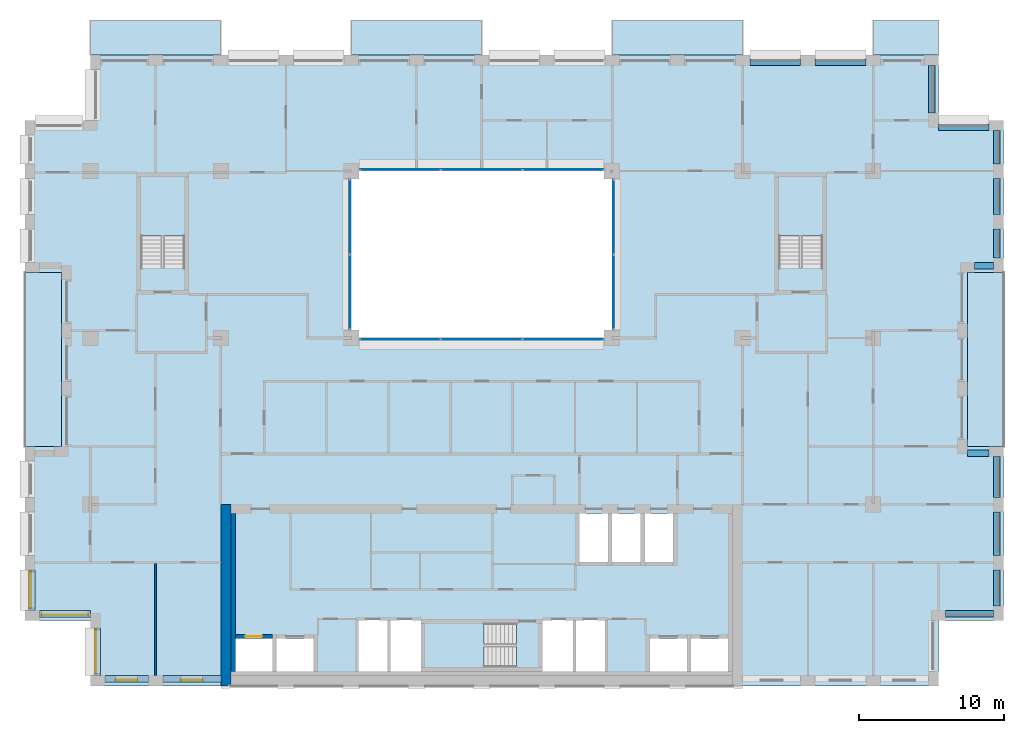
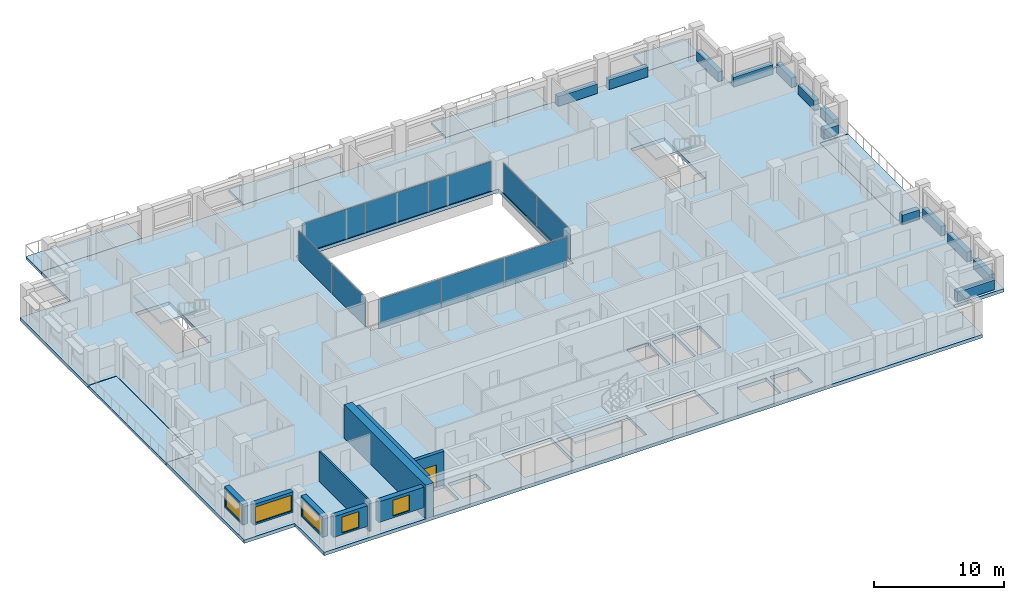
# One storey, part 7 of 15: 13 beams, 10 plates, 10 slabs, 9 walls, 5 windows, 1 door, 6 openings, 7 elements without a shape of their own.
"""IFC4 building model written with IfcOpenShell, lengths in metres."""

from ifc_helpers import new_model, si_unit, direction, frame, frame_2d, origin, origin_2d, place, context, subcontext, project, spatial, polyline, rectangle, outline, extrude, material, layer, layer_set, material_profile, profile_set, type_object, element, fill, aggregate, save


model = new_model("IFC4")

# Units and contexts
model_context = context("Model", 3, precision=1e-05, world=origin(), true_north=direction((0.0, 1.0)))
body_context = subcontext(model_context, "Body", "Model", "MODEL_VIEW")
ifc_project = project(units=[si_unit("LENGTHUNIT", "METRE"), si_unit("AREAUNIT", "SQUARE_METRE"), si_unit("VOLUMEUNIT", "CUBIC_METRE"), si_unit("PLANEANGLEUNIT", "RADIAN"), si_unit("MASSUNIT", "GRAM", prefix="KILO")], contexts=[model_context])

# Site, building, storey
site_placement = place(None, origin())
site = spatial("IfcSite", under=ifc_project, at=site_placement, CompositionType="ELEMENT")
building_placement = place(site_placement, origin())
building = spatial("IfcBuilding", under=site, at=building_placement, Name="Brigalow Station Residences", CompositionType="ELEMENT")
storey_placement = place(building_placement, frame((0.0, 0.0, 172.800048828125)))
storey = spatial("IfcBuildingStorey", under=building, at=storey_placement, Name="L50", CompositionType="ELEMENT", Elevation=172.800048828125)

# Beams
ifc_material_1 = material(Name="Concrete C50", Category="concrete")
ifc_material_profile = material_profile(ifc_material_1, rectangle(XDim=0.449951171875, YDim=0.89990234375, at=origin_2d()), Name="RC450x900")
ifc_profile_set = profile_set([ifc_material_profile], Name="Concrete C50")
beam_type = type_object("IfcBeamType", Name="SPANDREL BEAM 450x900 C50", PredefinedType="SPANDREL", material=ifc_profile_set)
beam_1_placement = place(storey_placement, frame((68.0, 4.97509765625, 0.449951171875), z_axis=(1.0, 0.0, 0.0), x_axis=(0.0, 1.0, 0.0)))
element("IfcBeam", 1, at=beam_1_placement, inside=storey, type_object=beam_type, Name="L50/spandrel/W-L50-8", PredefinedType="SPANDREL", context=body_context, shape_type="SweptSolid", body=[
    extrude(rectangle(XDim=0.449951171875, YDim=0.89990234375, at=origin_2d()), origin(), (0.0, 0.0, 1.0), 3.300048828125),
])
beam_2_placement = place(storey_placement, frame((71.52490234375, 5.5, 0.449951171875), z_axis=(0.0, 1.0, 0.0), x_axis=(-1.0, 0.0, 0.0)))
element("IfcBeam", 2, at=beam_2_placement, inside=storey, type_object=beam_type, Name="L50/spandrel/W-L50-9", PredefinedType="SPANDREL", context=body_context, shape_type="SweptSolid", body=[
    extrude(rectangle(XDim=0.449951171875, YDim=0.89990234375, at=origin_2d()), origin(), (0.0, 0.0, 1.0), 2.5),
])
beam_3_placement = place(storey_placement, frame((71.52490234375, 9.0, 0.449951171875), z_axis=(0.0, 1.0, 0.0), x_axis=(-1.0, 0.0, 0.0)))
element("IfcBeam", 3, at=beam_3_placement, inside=storey, type_object=beam_type, Name="L50/spandrel/W-L50-10", PredefinedType="SPANDREL", context=body_context, shape_type="SweptSolid", body=[
    extrude(rectangle(XDim=0.449951171875, YDim=0.89990234375, at=origin_2d()), origin(), (0.0, 0.0, 1.0), 3.0),
])
beam_4_placement = place(storey_placement, frame((71.52490234375, 13.0, 0.449951171875), z_axis=(0.0, 1.0, 0.0), x_axis=(-1.0, 0.0, 0.0)))
element("IfcBeam", 4, at=beam_4_placement, inside=storey, type_object=beam_type, Name="L50/spandrel/W-L50-11", PredefinedType="SPANDREL", context=body_context, shape_type="SweptSolid", body=[
    extrude(rectangle(XDim=0.449951171875, YDim=0.89990234375, at=origin_2d()), origin(), (0.0, 0.0, 1.0), 2.800048828125),
])
beam_5_placement = place(storey_placement, frame((71.0, 16.02490234375, 0.449951171875), z_axis=(-1.0, 0.0, 0.0), x_axis=(0.0, -1.0, 0.0)))
element("IfcBeam", 5, at=beam_5_placement, inside=storey, type_object=beam_type, Name="L50/spandrel/W-L50-12", PredefinedType="SPANDREL", context=body_context, shape_type="SweptSolid", body=[
    extrude(rectangle(XDim=0.449951171875, YDim=0.89990234375, at=origin_2d()), origin(), (0.0, 0.0, 1.0), 1.5),
])
beam_6_placement = place(storey_placement, frame((70.0, 28.97509765625, 0.449951171875), z_axis=(1.0, 0.0, 0.0), x_axis=(0.0, 1.0, 0.0)))
element("IfcBeam", 6, at=beam_6_placement, inside=storey, type_object=beam_type, Name="L50/spandrel/W-L50-16", PredefinedType="SPANDREL", context=body_context, shape_type="SweptSolid", body=[
    extrude(rectangle(XDim=0.449951171875, YDim=0.89990234375, at=origin_2d()), origin(), (0.0, 0.0, 1.0), 1.300048828125),
])
beam_7_placement = place(storey_placement, frame((71.52490234375, 29.5, 0.449951171875), z_axis=(0.0, 1.0, 0.0), x_axis=(-1.0, 0.0, 0.0)))
element("IfcBeam", 7, at=beam_7_placement, inside=storey, type_object=beam_type, Name="L50/spandrel/W-L50-17", PredefinedType="SPANDREL", context=body_context, shape_type="SweptSolid", body=[
    extrude(rectangle(XDim=0.449951171875, YDim=0.89990234375, at=origin_2d()), origin(), (0.0, 0.0, 1.0), 2.0),
])
beam_8_placement = place(storey_placement, frame((71.52490234375, 32.5, 0.449951171875), z_axis=(0.0, 1.0, 0.0), x_axis=(-1.0, 0.0, 0.0)))
element("IfcBeam", 8, at=beam_8_placement, inside=storey, type_object=beam_type, Name="L50/spandrel/W-L50-18", PredefinedType="SPANDREL", context=body_context, shape_type="SweptSolid", body=[
    extrude(rectangle(XDim=0.449951171875, YDim=0.89990234375, at=origin_2d()), origin(), (0.0, 0.0, 1.0), 2.5),
])
beam_9_placement = place(storey_placement, frame((71.52490234375, 36.0, 0.449951171875), z_axis=(0.0, 1.0, 0.0), x_axis=(-1.0, 0.0, 0.0)))
element("IfcBeam", 9, at=beam_9_placement, inside=storey, type_object=beam_type, Name="L50/spandrel/W-L50-19", PredefinedType="SPANDREL", context=body_context, shape_type="SweptSolid", body=[
    extrude(rectangle(XDim=0.449951171875, YDim=0.89990234375, at=origin_2d()), origin(), (0.0, 0.0, 1.0), 2.300048828125),
])
beam_10_placement = place(storey_placement, frame((71.0, 38.52490234375, 0.449951171875), z_axis=(-1.0, 0.0, 0.0), x_axis=(0.0, -1.0, 0.0)))
element("IfcBeam", 10, at=beam_10_placement, inside=storey, type_object=beam_type, Name="L50/spandrel/W-L50-20", PredefinedType="SPANDREL", context=body_context, shape_type="SweptSolid", body=[
    extrude(rectangle(XDim=0.449951171875, YDim=0.89990234375, at=origin_2d()), origin(), (0.0, 0.0, 1.0), 3.5),
])
beam_11_placement = place(storey_placement, frame((67.02490234375, 39.5, 0.449951171875), z_axis=(0.0, 1.0, 0.0), x_axis=(-1.0, 0.0, 0.0)))
element("IfcBeam", 11, at=beam_11_placement, inside=storey, type_object=beam_type, Name="L50/spandrel/W-L50-21", PredefinedType="SPANDREL", context=body_context, shape_type="SweptSolid", body=[
    extrude(rectangle(XDim=0.449951171875, YDim=0.89990234375, at=origin_2d()), origin(), (0.0, 0.0, 1.0), 3.300048828125),
])
for number, where, z_axis, x_axis, name in (
    (12, (62.5, 43.02490234375, 0.449951171875), (-1.0, 0.0, 0.0), (0.0, -1.0, 0.0), "L50/spandrel/W-L50-23"),
    (13, (58.0, 43.02490234375, 0.449951171875), (-1.0, 0.0, 0.0), (0.0, -1.0, 0.0), "L50/spandrel/W-L50-24"),
):
    element("IfcBeam", number, at=place(storey_placement, frame(where, z_axis=z_axis, x_axis=x_axis)), inside=storey, type_object=beam_type, Name=name, PredefinedType="SPANDREL", context=body_context, shape_type="SweptSolid", body=[
        extrude(rectangle(XDim=0.449951171875, YDim=0.89990234375, at=origin_2d()), origin(), (0.0, 0.0, 1.0), 3.5),
    ])

# Curtain wall, plates
ifc_material_2 = material(Name="Aluminium", Category="aluminium")
ifc_layer_1 = layer(ifc_material_2, 0.14990234375)
ifc_layer_set_1 = layer_set([ifc_layer_1], Name="ATRIUM FIRE-RATED GLAZING CURTAIN WALL")
curtain_wall_type = type_object("IfcCurtainWallType", Name="ATRIUM FIRE-RATED GLAZING CURTAIN WALL", PredefinedType="NOTDEFINED", material=ifc_layer_set_1)
curtain_wall_1_placement = place(storey_placement, origin())
curtain_wall_1 = element("IfcCurtainWall", 14, at=curtain_wall_1_placement, inside=storey, type_object=curtain_wall_type, Name="L50/cw/atrium-S", PredefinedType="NOTDEFINED")
ifc_material_3 = material(Name="Fire-resisting laminated glazing, FRL -/60/-", Category="glass")
ifc_layer_2 = layer(ifc_material_3, 0.031982421875)
ifc_layer_set_2 = layer_set([ifc_layer_2], Name="ATRIUM FIRE-RATED GLAZING PANEL 32")
plate_type = type_object("IfcPlateType", Name="ATRIUM FIRE-RATED GLAZING PANEL 32", PredefinedType="CURTAIN_PANEL", material=ifc_layer_set_2)
plate_1_placement = place(storey_placement, frame((30.381591796875, 23.89990234375, 0.0), z_axis=(0.0, 0.0, 1.0), x_axis=(1.0, 0.0, 0.0)))
plate_1 = element("IfcPlate", 15, at=plate_1_placement, type_object=plate_type, Name="L50/cw/atrium-S/P00-00", PredefinedType="CURTAIN_PANEL", context=body_context, shape_type="SweptSolid", body=[
    extrude(rectangle(XDim=5.543212890625, YDim=0.031982421875, at=origin_2d()), origin(), (0.0, 0.0, 1.0), 2.77001953125),
])
plate_2_placement = place(storey_placement, frame((36.0, 23.89990234375, 0.0), z_axis=(0.0, 0.0, 1.0), x_axis=(1.0, 0.0, 0.0)))
plate_2 = element("IfcPlate", 16, at=plate_2_placement, type_object=plate_type, Name="L50/cw/atrium-S/P01-00", PredefinedType="CURTAIN_PANEL", context=body_context, shape_type="SweptSolid", body=[
    extrude(rectangle(XDim=5.5732421875, YDim=0.031982421875, at=origin_2d()), origin(), (0.0, 0.0, 1.0), 2.77001953125),
])
plate_3_placement = place(storey_placement, frame((41.618408203125, 23.89990234375, 0.0), z_axis=(0.0, 0.0, 1.0), x_axis=(1.0, 0.0, 0.0)))
plate_3 = element("IfcPlate", 17, at=plate_3_placement, type_object=plate_type, Name="L50/cw/atrium-S/P02-00", PredefinedType="CURTAIN_PANEL", context=body_context, shape_type="SweptSolid", body=[
    extrude(rectangle(XDim=5.543212890625, YDim=0.031982421875, at=origin_2d()), origin(), (0.0, 0.0, 1.0), 2.77001953125),
])
aggregate(curtain_wall_1, [plate_1, plate_2, plate_3])

curtain_wall_2_placement = place(storey_placement, origin())
curtain_wall_2 = element("IfcCurtainWall", 18, at=curtain_wall_2_placement, inside=storey, type_object=curtain_wall_type, Name="L50/cw/atrium-E", PredefinedType="NOTDEFINED")
plate_4_placement = place(storey_placement, frame((45.10009765625, 27.1650390625, 0.0), z_axis=(0.0, 0.0, 1.0), x_axis=(0.0, 1.0, 0.0)))
plate_4 = element("IfcPlate", 19, at=plate_4_placement, type_object=plate_type, Name="L50/cw/atrium-E/P00-00", PredefinedType="CURTAIN_PANEL", context=body_context, shape_type="SweptSolid", body=[
    extrude(rectangle(XDim=5.110107421875, YDim=0.031982421875, at=origin_2d()), origin(), (0.0, 0.0, 1.0), 2.77001953125),
])
plate_5_placement = place(storey_placement, frame((45.10009765625, 32.3349609375, 0.0), z_axis=(0.0, 0.0, 1.0), x_axis=(0.0, 1.0, 0.0)))
plate_5 = element("IfcPlate", 20, at=plate_5_placement, type_object=plate_type, Name="L50/cw/atrium-E/P01-00", PredefinedType="CURTAIN_PANEL", context=body_context, shape_type="SweptSolid", body=[
    extrude(rectangle(XDim=5.110107421875, YDim=0.031982421875, at=origin_2d()), origin(), (0.0, 0.0, 1.0), 2.77001953125),
])
aggregate(curtain_wall_2, [plate_4, plate_5])

curtain_wall_3_placement = place(storey_placement, origin())
curtain_wall_3 = element("IfcCurtainWall", 21, at=curtain_wall_3_placement, inside=storey, type_object=curtain_wall_type, Name="L50/cw/atrium-N", PredefinedType="NOTDEFINED")
plate_6_placement = place(storey_placement, frame((41.618408203125, 35.60009765625, 0.0), z_axis=(0.0, 0.0, 1.0), x_axis=(-1.0, 0.0, 0.0)))
plate_6 = element("IfcPlate", 22, at=plate_6_placement, type_object=plate_type, Name="L50/cw/atrium-N/P00-00", PredefinedType="CURTAIN_PANEL", context=body_context, shape_type="SweptSolid", body=[
    extrude(rectangle(XDim=5.543212890625, YDim=0.031982421875, at=origin_2d()), origin(), (0.0, 0.0, 1.0), 2.77001953125),
])
plate_7_placement = place(storey_placement, frame((36.0, 35.60009765625, 0.0), z_axis=(0.0, 0.0, 1.0), x_axis=(-1.0, 0.0, 0.0)))
plate_7 = element("IfcPlate", 23, at=plate_7_placement, type_object=plate_type, Name="L50/cw/atrium-N/P01-00", PredefinedType="CURTAIN_PANEL", context=body_context, shape_type="SweptSolid", body=[
    extrude(rectangle(XDim=5.5732421875, YDim=0.031982421875, at=origin_2d()), origin(), (0.0, 0.0, 1.0), 2.77001953125),
])
plate_8_placement = place(storey_placement, frame((30.381591796875, 35.60009765625, 0.0), z_axis=(0.0, 0.0, 1.0), x_axis=(-1.0, 0.0, 0.0)))
plate_8 = element("IfcPlate", 24, at=plate_8_placement, type_object=plate_type, Name="L50/cw/atrium-N/P02-00", PredefinedType="CURTAIN_PANEL", context=body_context, shape_type="SweptSolid", body=[
    extrude(rectangle(XDim=5.543212890625, YDim=0.031982421875, at=origin_2d()), origin(), (0.0, 0.0, 1.0), 2.77001953125),
])
aggregate(curtain_wall_3, [plate_6, plate_7, plate_8])

curtain_wall_4_placement = place(storey_placement, origin())
curtain_wall_4 = element("IfcCurtainWall", 25, at=curtain_wall_4_placement, inside=storey, type_object=curtain_wall_type, Name="L50/cw/atrium-W", PredefinedType="NOTDEFINED")
plate_9_placement = place(storey_placement, frame((26.89990234375, 32.3349609375, 0.0), z_axis=(0.0, 0.0, 1.0), x_axis=(0.0, -1.0, 0.0)))
plate_9 = element("IfcPlate", 26, at=plate_9_placement, type_object=plate_type, Name="L50/cw/atrium-W/P00-00", PredefinedType="CURTAIN_PANEL", context=body_context, shape_type="SweptSolid", body=[
    extrude(rectangle(XDim=5.110107421875, YDim=0.031982421875, at=origin_2d()), origin(), (0.0, 0.0, 1.0), 2.77001953125),
])
plate_10_placement = place(storey_placement, frame((26.89990234375, 27.1650390625, 0.0), z_axis=(0.0, 0.0, 1.0), x_axis=(0.0, -1.0, 0.0)))
plate_10 = element("IfcPlate", 27, at=plate_10_placement, type_object=plate_type, Name="L50/cw/atrium-W/P01-00", PredefinedType="CURTAIN_PANEL", context=body_context, shape_type="SweptSolid", body=[
    extrude(rectangle(XDim=5.110107421875, YDim=0.031982421875, at=origin_2d()), origin(), (0.0, 0.0, 1.0), 2.77001953125),
])
aggregate(curtain_wall_4, [plate_9, plate_10])

# Slabs
ifc_material_4 = material(Name="Concrete C50 precast", Category="concrete")
ifc_layer_3 = layer(ifc_material_4, 0.25)
ifc_layer_set_3 = layer_set([ifc_layer_3], Name="BALCONY SLAB 250")
slab_type_1 = type_object("IfcSlabType", Name="BALCONY SLAB 250", PredefinedType="USERDEFINED", material=ifc_layer_set_3)
slab_1_placement = place(storey_placement, frame((0.0, 0.0, -0.2900390625)))
element("IfcSlab", 28, at=slab_1_placement, inside=storey, type_object=slab_type_1, Name="L50/balcony/1", ObjectType="BALCONY", PredefinedType="USERDEFINED", context=body_context, shape_type="SweptSolid", body=[
    extrude(outline(polyline([(69.5, 16.5), (72.0, 16.5), (72.0, 28.5), (69.5, 28.5), (69.5, 16.5)])), origin(), (0.0, 0.0, 1.0), 0.25),
])
slab_2_placement = place(storey_placement, frame((0.0, 0.0, -0.2900390625)))
element("IfcSlab", 29, at=slab_2_placement, inside=storey, type_object=slab_type_1, Name="L50/balcony/2", ObjectType="BALCONY", PredefinedType="USERDEFINED", context=body_context, shape_type="SweptSolid", body=[
    extrude(outline(polyline([(67.5, 43.5), (67.5, 45.89990234375), (63.0, 45.89990234375), (63.0, 43.5), (67.5, 43.5)])), origin(), (0.0, 0.0, 1.0), 0.25),
])
slab_3_placement = place(storey_placement, frame((0.0, 0.0, -0.2900390625)))
element("IfcSlab", 30, at=slab_3_placement, inside=storey, type_object=slab_type_1, Name="L50/balcony/3", ObjectType="BALCONY", PredefinedType="USERDEFINED", context=body_context, shape_type="SweptSolid", body=[
    extrude(outline(polyline([(54.0, 43.5), (54.0, 45.89990234375), (45.0, 45.89990234375), (45.0, 43.5), (54.0, 43.5)])), origin(), (0.0, 0.0, 1.0), 0.25),
])
slab_4_placement = place(storey_placement, frame((0.0, 0.0, -0.2900390625)))
element("IfcSlab", 31, at=slab_4_placement, inside=storey, type_object=slab_type_1, Name="L50/balcony/4", ObjectType="BALCONY", PredefinedType="USERDEFINED", context=body_context, shape_type="SweptSolid", body=[
    extrude(outline(polyline([(36.0, 43.5), (36.0, 45.89990234375), (27.0, 45.89990234375), (27.0, 43.5), (36.0, 43.5)])), origin(), (0.0, 0.0, 1.0), 0.25),
])
slab_5_placement = place(storey_placement, frame((0.0, 0.0, -0.2900390625)))
element("IfcSlab", 32, at=slab_5_placement, inside=storey, type_object=slab_type_1, Name="L50/balcony/5", ObjectType="BALCONY", PredefinedType="USERDEFINED", context=body_context, shape_type="SweptSolid", body=[
    extrude(outline(polyline([(18.0, 43.5), (18.0, 45.89990234375), (9.0, 45.89990234375), (9.0, 43.5), (18.0, 43.5)])), origin(), (0.0, 0.0, 1.0), 0.25),
])
slab_6_placement = place(storey_placement, frame((0.0, 0.0, -0.2900390625)))
element("IfcSlab", 33, at=slab_6_placement, inside=storey, type_object=slab_type_1, Name="L50/balcony/6", ObjectType="BALCONY", PredefinedType="USERDEFINED", context=body_context, shape_type="SweptSolid", body=[
    extrude(outline(polyline([(7.0, 28.5), (4.5, 28.5), (4.5, 16.5), (7.0, 16.5), (7.0, 28.5)])), origin(), (0.0, 0.0, 1.0), 0.25),
])
ifc_material_5 = material(Name="Concrete C50", Category="concrete")
ifc_layer_4 = layer(ifc_material_5, 0.320068359375)
ifc_layer_set_4 = layer_set([ifc_layer_4], Name="POST-TENSIONED FLAT PLATE 320 C50")
slab_type_2 = type_object("IfcSlabType", Name="POST-TENSIONED FLAT PLATE 320 C50", PredefinedType="FLOOR", material=ifc_layer_set_4)
slab_7_placement = place(storey_placement, frame((0.0, 0.0, -0.320068359375)))
element("IfcSlab", 34, at=slab_7_placement, inside=storey, type_object=slab_type_2, Name="FLOOR SLAB L50", PredefinedType="FLOOR", context=body_context, shape_type="SweptSolid", body=[
    extrude(outline(polyline([(9.0, 0.0), (67.5, 0.0), (67.5, 4.5), (72.0, 4.5), (72.0, 16.5), (69.5, 16.5), (69.5, 28.5), (72.0, 28.5), (72.0, 39.0), (67.5, 39.0), (67.5, 43.5), (9.0, 43.5), (9.0, 39.0), (4.5, 39.0), (4.5, 28.5), (7.0, 28.5), (7.0, 16.5), (4.5, 16.5), (4.5, 4.5), (9.0, 4.5), (9.0, 0.0)]), holes=[polyline([(12.5048828125, 35.094970703125), (15.4951171875, 35.094970703125), (15.4951171875, 28.804931640625), (12.5048828125, 28.804931640625), (12.5048828125, 35.094970703125)]), polyline([(19.0, 1.0), (19.0, 3.25), (21.550048828125, 3.25), (21.550048828125, 1.0), (19.0, 1.0)]), polyline([(21.85009765625, 3.25), (24.39990234375, 3.25), (24.39990234375, 1.0), (21.85009765625, 1.0), (21.85009765625, 3.25)]), polyline([(27.0, 35.5), (45.0, 35.5), (45.0, 24.0), (27.0, 24.0), (27.0, 35.5)]), polyline([(29.60009765625, 4.60009765625), (31.800048828125, 4.60009765625), (31.800048828125, 1.0), (29.60009765625, 1.0), (27.39990234375, 1.0), (27.39990234375, 4.60009765625), (29.60009765625, 4.60009765625)]), polyline([(32.10498046875, 4.294921875), (38.39501953125, 4.294921875), (38.39501953125, 1.304931640625), (32.10498046875, 1.304931640625), (32.10498046875, 4.294921875)]), polyline([(40.199951171875, 4.60009765625), (42.39990234375, 4.60009765625), (44.60009765625, 4.60009765625), (44.60009765625, 1.0), (42.39990234375, 1.0), (40.199951171875, 1.0), (40.199951171875, 4.60009765625)]), polyline([(42.75, 11.89990234375), (44.699951171875, 11.89990234375), (44.699951171875, 8.550048828125), (42.75, 8.550048828125), (42.75, 11.89990234375)]), polyline([(45.0, 11.89990234375), (46.949951171875, 11.89990234375), (46.949951171875, 8.550048828125), (45.0, 8.550048828125), (45.0, 11.89990234375)]), polyline([(47.25, 11.89990234375), (49.199951171875, 11.89990234375), (49.199951171875, 8.550048828125), (47.25, 8.550048828125), (47.25, 11.89990234375)]), polyline([(47.60009765625, 3.25), (50.14990234375, 3.25), (50.14990234375, 1.0), (47.60009765625, 1.0), (47.60009765625, 3.25)]), polyline([(50.449951171875, 3.25), (53.0, 3.25), (53.0, 1.0), (50.449951171875, 1.0), (50.449951171875, 3.25)]), polyline([(56.5048828125, 35.094970703125), (59.4951171875, 35.094970703125), (59.4951171875, 28.804931640625), (56.5048828125, 28.804931640625), (56.5048828125, 35.094970703125)])]), origin(), (0.0, 0.0, 1.0), 0.320068359375),
])

# Stair, slab
ifc_material_6 = material(Name="Concrete C50", Category="concrete")
stair_type = type_object("IfcStairType", Name="EXIT STAIR 1400 2 FLIGHT", PredefinedType="HALF_TURN_STAIR", material=ifc_material_6)
stair_1_placement = place(storey_placement, origin())
stair_1 = element("IfcStair", 35, at=stair_1_placement, inside=storey, type_object=stair_type, Name="EXIT STAIR S2 L50", PredefinedType="HALF_TURN_STAIR")
ifc_material_7 = material(Name="Concrete C50", Category="concrete")
ifc_layer_5 = layer(ifc_material_7, 0.199951171875)
ifc_layer_set_5 = layer_set([ifc_layer_5], Name="STAIR LANDING 200")
slab_type_3 = type_object("IfcSlabType", Name="STAIR LANDING 200", PredefinedType="LANDING", material=ifc_layer_set_5)
slab_8_placement = place(storey_placement, frame((0.0, 0.0, 1.375)))
slab_8 = element("IfcSlab", 36, at=slab_8_placement, type_object=slab_type_3, Name="ST-2 landing 1", PredefinedType="LANDING", context=body_context, shape_type="SweptSolid", body=[
    extrude(outline(polyline([(32.0, 1.199951171875), (36.159912109375, 1.199951171875), (36.159912109375, 4.39990234375), (32.0, 4.39990234375), (32.0, 1.199951171875)])), origin(), (0.0, 0.0, 1.0), 0.199951171875),
])
aggregate(stair_1, [slab_8])

stair_2_placement = place(storey_placement, origin())
stair_2 = element("IfcStair", 37, at=stair_2_placement, inside=storey, type_object=stair_type, Name="EXIT STAIR S1 L50", PredefinedType="HALF_TURN_STAIR")
slab_9_placement = place(storey_placement, frame((0.0, 0.0, 1.375)))
slab_9 = element("IfcSlab", 38, at=slab_9_placement, type_object=slab_type_3, Name="ST-1 landing 1", PredefinedType="LANDING", context=body_context, shape_type="SweptSolid", body=[
    extrude(outline(polyline([(12.39990234375, 31.0400390625), (15.60009765625, 31.0400390625), (15.60009765625, 35.199951171875), (12.39990234375, 35.199951171875), (12.39990234375, 31.0400390625)])), origin(), (0.0, 0.0, 1.0), 0.199951171875),
])
aggregate(stair_2, [slab_9])

stair_3_placement = place(storey_placement, origin())
stair_3 = element("IfcStair", 39, at=stair_3_placement, inside=storey, type_object=stair_type, Name="EXIT STAIR S3 L50", PredefinedType="HALF_TURN_STAIR")
slab_10_placement = place(storey_placement, frame((0.0, 0.0, 1.375)))
slab_10 = element("IfcSlab", 40, at=slab_10_placement, type_object=slab_type_3, Name="ST-3 landing 1", PredefinedType="LANDING", context=body_context, shape_type="SweptSolid", body=[
    extrude(outline(polyline([(56.39990234375, 31.0400390625), (59.60009765625, 31.0400390625), (59.60009765625, 35.199951171875), (56.39990234375, 35.199951171875), (56.39990234375, 31.0400390625)])), origin(), (0.0, 0.0, 1.0), 0.199951171875),
])
aggregate(stair_3, [slab_10])

# Wall, opening, window
ifc_material_8 = material(Name="Clay brick masonry", Category="masonry")
ifc_layer_6 = layer(ifc_material_8, 0.449951171875)
ifc_layer_set_6 = layer_set([ifc_layer_6], Name="BRICK INFILL WALL 450")
wall_type_1 = type_object("IfcWallType", Name="BRICK INFILL WALL 450", PredefinedType="SOLIDWALL", material=ifc_layer_set_6)
wall_1_placement = place(storey_placement, frame((10.0, 0.47509765625, 0.89990234375), z_axis=(0.0, 0.0, 1.0), x_axis=(1.0, 0.0, 0.0)))
wall_1 = element("IfcWall", 41, at=wall_1_placement, inside=storey, type_object=wall_type_1, Name="L50/ewall/W-L50-1", PredefinedType="SOLIDWALL", context=body_context, shape_type="SweptSolid", body=[
    extrude(rectangle(XDim=3.0, YDim=0.449951171875, at=frame_2d((1.5, 0.0))), origin(), (0.0, 0.0, 1.0), 1.929931640625),
])
opening_1_placement = place(wall_1_placement, frame((0.75, 0.0, 0.14990234375)))
opening_1 = element("IfcOpeningElement", 42, at=opening_1_placement, cuts=wall_1, Name="Opening WT-1", PredefinedType="OPENING", context=body_context, shape_type="SweptSolid", body=[
    extrude(rectangle(XDim=1.5, YDim=1.5, at=frame_2d((0.75, 0.75))), frame((0.0, 0.23486328125, 0.0), z_axis=(0.0, -1.0, 0.0), x_axis=(1.0, 0.0, 0.0)), (0.0, 0.0, 1.0), 0.469970703125),
])
ifc_material_9 = material(Name="Anodised aluminium frame with double glazing", Category="aluminium")
window_type_1 = type_object("IfcWindowType", Name="WINDOW 1500x1500", PartitioningType="SINGLE_PANEL", PredefinedType="WINDOW", material=ifc_material_9)
window_1_placement = place(opening_1_placement, origin())
window_1 = element("IfcWindow", 43, at=window_1_placement, inside=storey, type_object=window_type_1, Name="L50/window/W-L50-1", OverallHeight=1.5, OverallWidth=1.5, PartitioningType="SINGLE_PANEL", PredefinedType="WINDOW", context=body_context, shape_type="SweptSolid", body=[
    extrude(rectangle(XDim=1.5, YDim=1.5, at=frame_2d((0.75, 0.75))), frame((0.0, -0.06494140625, 0.0), z_axis=(0.0, -1.0, 0.0), x_axis=(1.0, 0.0, 0.0)), (0.0, 0.0, 1.0), 0.06005859375),
])
fill(opening_1, window_1)

wall_2_placement = place(storey_placement, frame((14.0, 0.47509765625, 0.89990234375), z_axis=(0.0, 0.0, 1.0), x_axis=(1.0, 0.0, 0.0)))
wall_2 = element("IfcWall", 44, at=wall_2_placement, inside=storey, type_object=wall_type_1, Name="L50/ewall/W-L50-2", PredefinedType="SOLIDWALL", context=body_context, shape_type="SweptSolid", body=[
    extrude(rectangle(XDim=4.0, YDim=0.449951171875, at=frame_2d((2.0, 0.0))), origin(), (0.0, 0.0, 1.0), 1.929931640625),
])
opening_2_placement = place(wall_2_placement, frame((1.25, 0.0, 0.14990234375)))
opening_2 = element("IfcOpeningElement", 45, at=opening_2_placement, cuts=wall_2, Name="Opening WT-1", PredefinedType="OPENING", context=body_context, shape_type="SweptSolid", body=[
    extrude(rectangle(XDim=1.5, YDim=1.5, at=frame_2d((0.75, 0.75))), frame((0.0, 0.23486328125, 0.0), z_axis=(0.0, -1.0, 0.0), x_axis=(1.0, 0.0, 0.0)), (0.0, 0.0, 1.0), 0.469970703125),
])
window_2_placement = place(opening_2_placement, origin())
window_2 = element("IfcWindow", 46, at=window_2_placement, inside=storey, type_object=window_type_1, Name="L50/window/W-L50-2", OverallHeight=1.5, OverallWidth=1.5, PartitioningType="SINGLE_PANEL", PredefinedType="WINDOW", context=body_context, shape_type="SweptSolid", body=[
    extrude(rectangle(XDim=1.5, YDim=1.5, at=frame_2d((0.75, 0.75))), frame((0.0, -0.06494140625, 0.0), z_axis=(0.0, -1.0, 0.0), x_axis=(1.0, 0.0, 0.0)), (0.0, 0.0, 1.0), 0.06005859375),
])
fill(opening_2, window_2)

wall_3_placement = place(storey_placement, frame((4.97509765625, 8.0, 0.89990234375), z_axis=(0.0, 0.0, 1.0), x_axis=(0.0, -1.0, 0.0)))
wall_3 = element("IfcWall", 47, at=wall_3_placement, inside=storey, type_object=wall_type_1, Name="L50/ewall/W-L50-47", PredefinedType="SOLIDWALL", context=body_context, shape_type="SweptSolid", body=[
    extrude(rectangle(XDim=2.800048828125, YDim=0.449951171875, at=frame_2d((1.39990234375, 0.0))), origin(), (0.0, 0.0, 1.0), 1.929931640625),
])
opening_3_placement = place(wall_3_placement, frame((0.14990234375, 0.0, 0.14990234375)))
opening_3 = element("IfcOpeningElement", 48, at=opening_3_placement, cuts=wall_3, Name="Opening WT-5", PredefinedType="OPENING", context=body_context, shape_type="SweptSolid", body=[
    extrude(rectangle(XDim=2.5, YDim=1.5, at=frame_2d((1.25, 0.75))), frame((0.0, 0.23486328125, 0.0), z_axis=(0.0, -1.0, 0.0), x_axis=(1.0, 0.0, 0.0)), (0.0, 0.0, 1.0), 0.469970703125),
])
ifc_material_10 = material(Name="Anodised aluminium frame with double glazing", Category="aluminium")
window_type_2 = type_object("IfcWindowType", Name="WINDOW 2500x1500", PartitioningType="SINGLE_PANEL", PredefinedType="WINDOW", material=ifc_material_10)
window_3_placement = place(opening_3_placement, origin())
window_3 = element("IfcWindow", 49, at=window_3_placement, inside=storey, type_object=window_type_2, Name="L50/window/W-L50-47", OverallHeight=1.5, OverallWidth=2.5, PartitioningType="SINGLE_PANEL", PredefinedType="WINDOW", context=body_context, shape_type="SweptSolid", body=[
    extrude(rectangle(XDim=2.5, YDim=1.5, at=frame_2d((1.25, 0.75))), frame((0.0, -0.06494140625, 0.0), z_axis=(0.0, -1.0, 0.0), x_axis=(1.0, 0.0, 0.0)), (0.0, 0.0, 1.0), 0.06005859375),
])
fill(opening_3, window_3)

wall_4_placement = place(storey_placement, frame((5.5, 4.97509765625, 0.89990234375), z_axis=(0.0, 0.0, 1.0), x_axis=(1.0, 0.0, 0.0)))
wall_4 = element("IfcWall", 50, at=wall_4_placement, inside=storey, type_object=wall_type_1, Name="L50/ewall/W-L50-48", PredefinedType="SOLIDWALL", context=body_context, shape_type="SweptSolid", body=[
    extrude(rectangle(XDim=3.5, YDim=0.449951171875, at=frame_2d((1.75, 0.0))), origin(), (0.0, 0.0, 1.0), 1.929931640625),
])
opening_4_placement = place(wall_4_placement, frame((0.14990234375, 0.0, 0.14990234375)))
opening_4 = element("IfcOpeningElement", 51, at=opening_4_placement, cuts=wall_4, Name="Opening WT-9", PredefinedType="OPENING", context=body_context, shape_type="SweptSolid", body=[
    extrude(rectangle(XDim=3.199951171875, YDim=1.5, at=frame_2d((1.60009765625, 0.75))), frame((0.0, 0.23486328125, 0.0), z_axis=(0.0, -1.0, 0.0), x_axis=(1.0, 0.0, 0.0)), (0.0, 0.0, 1.0), 0.469970703125),
])
ifc_material_11 = material(Name="Anodised aluminium frame with double glazing", Category="aluminium")
window_type_3 = type_object("IfcWindowType", Name="WINDOW 3200x1500", PartitioningType="SINGLE_PANEL", PredefinedType="WINDOW", material=ifc_material_11)
window_4_placement = place(opening_4_placement, origin())
window_4 = element("IfcWindow", 52, at=window_4_placement, inside=storey, type_object=window_type_3, Name="L50/window/W-L50-48", OverallHeight=1.5, OverallWidth=3.199951171875, PartitioningType="SINGLE_PANEL", PredefinedType="WINDOW", context=body_context, shape_type="SweptSolid", body=[
    extrude(rectangle(XDim=3.199951171875, YDim=1.5, at=frame_2d((1.60009765625, 0.75))), frame((0.0, -0.06494140625, 0.0), z_axis=(0.0, -1.0, 0.0), x_axis=(1.0, 0.0, 0.0)), (0.0, 0.0, 1.0), 0.06005859375),
])
fill(opening_4, window_4)

wall_5_placement = place(storey_placement, frame((9.47509765625, 4.0, 0.89990234375), z_axis=(0.0, 0.0, 1.0), x_axis=(0.0, -1.0, 0.0)))
wall_5 = element("IfcWall", 53, at=wall_5_placement, inside=storey, type_object=wall_type_1, Name="L50/ewall/W-L50-49", PredefinedType="SOLIDWALL", context=body_context, shape_type="SweptSolid", body=[
    extrude(rectangle(XDim=3.300048828125, YDim=0.449951171875, at=frame_2d((1.64990234375, 0.0))), origin(), (0.0, 0.0, 1.0), 1.929931640625),
])
opening_5_placement = place(wall_5_placement, frame((0.14990234375, 0.0, 0.14990234375)))
opening_5 = element("IfcOpeningElement", 54, at=opening_5_placement, cuts=wall_5, Name="Opening WT-2", PredefinedType="OPENING", context=body_context, shape_type="SweptSolid", body=[
    extrude(rectangle(XDim=3.0, YDim=1.5, at=frame_2d((1.5, 0.75))), frame((0.0, 0.23486328125, 0.0), z_axis=(0.0, -1.0, 0.0), x_axis=(1.0, 0.0, 0.0)), (0.0, 0.0, 1.0), 0.469970703125),
])
ifc_material_12 = material(Name="Anodised aluminium frame with double glazing", Category="aluminium")
window_type_4 = type_object("IfcWindowType", Name="WINDOW 3000x1500", PartitioningType="SINGLE_PANEL", PredefinedType="WINDOW", material=ifc_material_12)
window_5_placement = place(opening_5_placement, origin())
window_5 = element("IfcWindow", 55, at=window_5_placement, inside=storey, type_object=window_type_4, Name="L50/window/W-L50-49", OverallHeight=1.5, OverallWidth=3.0, PartitioningType="SINGLE_PANEL", PredefinedType="WINDOW", context=body_context, shape_type="SweptSolid", body=[
    extrude(rectangle(XDim=3.0, YDim=1.5, at=frame_2d((1.5, 0.75))), frame((0.0, -0.06494140625, 0.0), z_axis=(0.0, -1.0, 0.0), x_axis=(1.0, 0.0, 0.0)), (0.0, 0.0, 1.0), 0.06005859375),
])
fill(opening_5, window_5)

# Wall
ifc_material_13 = material(Name="Concrete C65", Category="concrete")
ifc_layer_7 = layer(ifc_material_13, 0.300048828125)
ifc_layer_set_7 = layer_set([ifc_layer_7], Name="CORE SHEAR WALL 300 C65")
wall_type_2 = type_object("IfcWallType", Name="CORE SHEAR WALL 300 C65", PredefinedType="SHEAR", material=ifc_layer_set_7)
wall_6_placement = place(storey_placement, frame((18.85009765625, 1.0, 0.0), z_axis=(0.0, 0.0, 1.0), x_axis=(0.0, 1.0, 0.0)))
element("IfcWall", 56, at=wall_6_placement, inside=storey, type_object=wall_type_2, Name="CORE WALL LIN-W L50", PredefinedType="SHEAR", context=body_context, shape_type="SweptSolid", body=[
    extrude(rectangle(XDim=10.89990234375, YDim=0.300048828125, at=frame_2d((5.449951171875, 0.0))), origin(), (0.0, 0.0, 1.0), 3.14990234375),
])

# Wall, opening, door
wall_7_placement = place(storey_placement, frame((19.0, 3.39990234375, 0.0), z_axis=(0.0, 0.0, 1.0), x_axis=(1.0, 0.0, 0.0)))
wall_7 = element("IfcWall", 57, at=wall_7_placement, inside=storey, type_object=wall_type_2, Name="CORE WALL SH-C1-N L50", PredefinedType="SHEAR", context=body_context, shape_type="SweptSolid", body=[
    extrude(rectangle(XDim=2.550048828125, YDim=0.300048828125, at=frame_2d((1.27490234375, 0.0))), origin(), (0.0, 0.0, 1.0), 3.14990234375),
])
opening_6_placement = place(wall_7_placement, frame((0.675048828125, 0.0, 0.0)))
opening_6 = element("IfcOpeningElement", 58, at=opening_6_placement, cuts=wall_7, Name="Opening LD-LB1", PredefinedType="OPENING", context=body_context, shape_type="SweptSolid", body=[
    extrude(rectangle(XDim=1.199951171875, YDim=2.10009765625, at=frame_2d((0.60009765625, 1.050048828125))), frame((0.0, 0.16015625, 0.0), z_axis=(0.0, -1.0, 0.0), x_axis=(1.0, 0.0, 0.0)), (0.0, 0.0, 1.0), 0.320068359375),
])
ifc_material_14 = material(Name="Stainless steel sliding door leaves", Category="steel")
door_type = type_object("IfcDoorType", Name="LIFT LANDING DOOR 1200 x 2100", OperationType="DOUBLE_DOOR_SLIDING", PredefinedType="DOOR", material=ifc_material_14)
door_placement = place(opening_6_placement, origin())
door = element("IfcDoor", 59, at=door_placement, inside=storey, type_object=door_type, Name="LANDING DOOR LB1", OperationType="DOUBLE_DOOR_SLIDING", OverallHeight=2.10009765625, OverallWidth=1.199951171875, PredefinedType="DOOR", context=body_context, shape_type="SweptSolid", body=[
    extrude(rectangle(XDim=1.199951171875, YDim=2.10009765625, at=frame_2d((0.60009765625, 1.050048828125))), frame((0.0, 0.02490234375, 0.0), z_axis=(0.0, -1.0, 0.0), x_axis=(1.0, 0.0, 0.0)), (0.0, 0.0, 1.0), 0.050048828125),
])
fill(opening_6, door)

# Walls
ifc_material_15 = material(Name="Concrete C65", Category="concrete")
ifc_layer_8 = layer(ifc_material_15, 0.699951171875)
ifc_layer_set_8 = layer_set([ifc_layer_8], Name="CORE SHEAR WALL 700 C65")
wall_type_3 = type_object("IfcWallType", Name="CORE SHEAR WALL 700 C65", PredefinedType="SHEAR", material=ifc_layer_set_8)
wall_8_placement = place(storey_placement, frame((18.35009765625, 0.0, 0.0), z_axis=(0.0, 0.0, 1.0), x_axis=(0.0, 1.0, 0.0)))
element("IfcWall", 60, at=wall_8_placement, inside=storey, type_object=wall_type_3, Name="CORE WALL OUT-W L50", PredefinedType="SHEAR", context=body_context, shape_type="SweptSolid", body=[
    extrude(rectangle(XDim=12.5, YDim=0.699951171875, at=frame_2d((6.25, 0.0))), origin(), (0.0, 0.0, 1.0), 3.14990234375),
])
ifc_material_16 = material(Name="Plasterboard on steel stud partition", Category="steel")
ifc_layer_9 = layer(ifc_material_16, 0.14990234375)
ifc_layer_set_9 = layer_set([ifc_layer_9], Name="FLAT PARTITION 150")
wall_type_4 = type_object("IfcWallType", Name="FLAT PARTITION 150", PredefinedType="PARTITIONING", material=ifc_layer_set_9)
wall_9_placement = place(storey_placement, frame((13.5, 0.699951171875, 0.0), z_axis=(0.0, 0.0, 1.0), x_axis=(0.0, 1.0, 0.0)))
element("IfcWall", 61, at=wall_9_placement, inside=storey, type_object=wall_type_4, Name="PW-3E35", PredefinedType="PARTITIONING", context=body_context, shape_type="SweptSolid", body=[
    extrude(rectangle(XDim=7.72509765625, YDim=0.14990234375, at=frame_2d((3.862548828125, 0.0))), origin(), (0.0, 0.0, 1.0), 2.829833984375),
])

save(model, "model.ifc")
